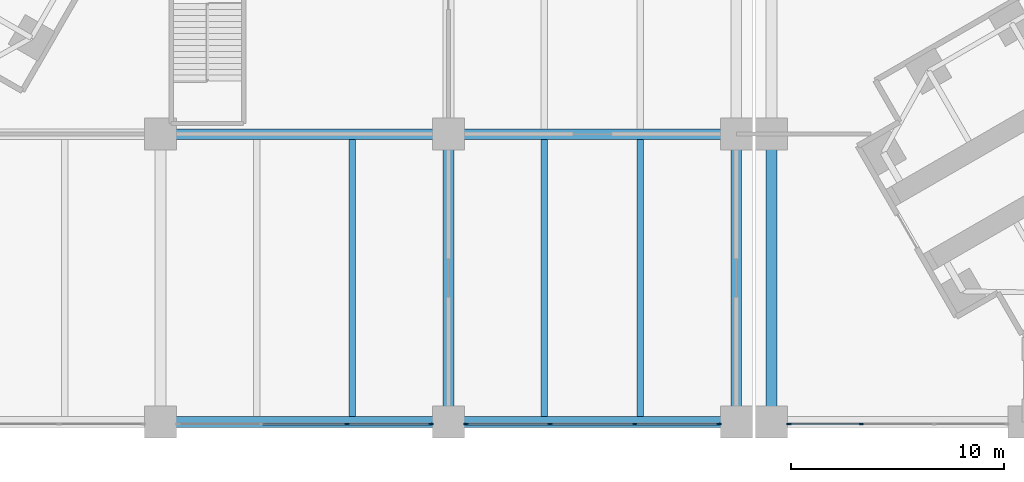
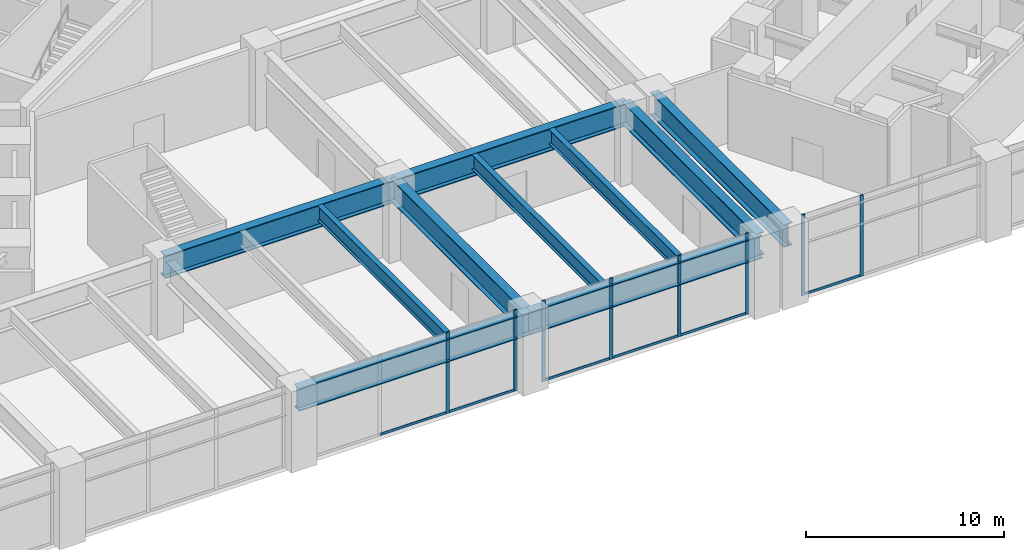
# One storey, part 4 of 32: 14 members, 10 beams, 3 elements without a shape of their own.
"""IFC4 building model written with IfcOpenShell, lengths in metres."""

from ifc_helpers import new_model, si_unit, direction, frame, origin, origin_2d, place, context, subcontext, project, spatial, rectangle, i_section, extrude, material, material_profile, profile_set, type_object, element, aggregate, save


model = new_model("IFC4")

# Units and contexts
model_context = context("Model", 3, precision=1e-05, world=origin(), true_north=direction((0.0, 1.0)))
body_context = subcontext(model_context, "Body", "Model", "MODEL_VIEW")
ifc_project = project(units=[si_unit("LENGTHUNIT", "METRE"), si_unit("AREAUNIT", "SQUARE_METRE"), si_unit("VOLUMEUNIT", "CUBIC_METRE"), si_unit("PLANEANGLEUNIT", "RADIAN"), si_unit("MASSUNIT", "GRAM", prefix="KILO")], contexts=[model_context])

# Site, building, storey
site_placement = place(None, origin())
site = spatial("IfcSite", under=ifc_project, at=site_placement, CompositionType="ELEMENT")
building_placement = place(site_placement, origin())
building = spatial("IfcBuilding", under=site, at=building_placement, Name="Upepo Twin Towers", CompositionType="ELEMENT")
storey_placement = place(building_placement, frame((0.0, 0.0, 5.5)))
storey = spatial("IfcBuildingStorey", under=building, at=storey_placement, Name="L01", CompositionType="ELEMENT", Elevation=5.5)

# Beams
ifc_material_1 = material(Name="Steel S355", Category="steel")
ifc_material_profile_1 = material_profile(ifc_material_1, i_section(OverallWidth=0.5, OverallDepth=1.39990234375, WebThickness=0.02490234375, FlangeThickness=0.050048828125, FilletRadius=0.008056640625, at=origin_2d()), Name="PG 1400x500x25x50")
ifc_profile_set_1 = profile_set([ifc_material_profile_1], Name="Steel S355")
beam_type_1 = type_object("IfcBeamType", Name="Beam PG 1400x500x25x50", PredefinedType="BEAM", material=ifc_profile_set_1)
for number, where, z_axis, x_axis, name in (
    (1, (0.0, -40.5, 3.949951171875), (1.0, 0.0, 0.0), (0.0, 1.0, 0.0), "Podium girder A/3-4"),
    (2, (13.5, -40.5, 3.949951171875), (1.0, 0.0, 0.0), (0.0, 1.0, 0.0), "Podium girder A/4-5"),
    (3, (0.0, -27.0, 3.949951171875), (1.0, 0.0, 0.0), (0.0, 1.0, 0.0), "Podium girder B/3-4"),
    (4, (13.5, -27.0, 3.949951171875), (1.0, 0.0, 0.0), (0.0, 1.0, 0.0), "Podium girder B/4-5"),
    (5, (13.5, -40.5, 3.949951171875), (0.0, 1.0, 0.0), (-1.0, 0.0, 0.0), "Podium girder 4/A-B"),
    (6, (27.0, -40.5, 3.949951171875), (0.0, 1.0, 0.0), (-1.0, 0.0, 0.0), "Podium girder 5/A-B"),
    (7, (28.64990234375, -40.5, 3.949951171875), (0.0, 1.0, 0.0), (-1.0, 0.0, 0.0), "Podium girder 5a/A-B"),
):
    element("IfcBeam", number, at=place(storey_placement, frame(where, z_axis=z_axis, x_axis=x_axis)), inside=storey, type_object=beam_type_1, Name=name, PredefinedType="BEAM", context=body_context, shape_type="SweptSolid", body=[
        extrude(i_section(OverallWidth=0.5, OverallDepth=1.39990234375, WebThickness=0.02490234375, FlangeThickness=0.050048828125, FilletRadius=0.008056640625, at=origin_2d()), origin(), (0.0, 0.0, 1.0), 13.5),
    ])

# Curtain wall, members
ifc_material_2 = material(Name="Aluminium and clear glass", Category="aluminium")
curtain_wall_type = type_object("IfcCurtainWallType", Name="Podium curtain wall PW1", PredefinedType="NOTDEFINED", material=ifc_material_2)
curtain_wall_1_placement = place(storey_placement, origin())
curtain_wall_1 = element("IfcCurtainWall", 8, at=curtain_wall_1_placement, inside=storey, type_object=curtain_wall_type, Name="Podium L01 curtain wall S3", PredefinedType="NOTDEFINED")
ifc_material_3 = material(Name="Aluminium mullion", Category="aluminium")
ifc_material_profile_2 = material_profile(ifc_material_3, rectangle(XDim=0.06494140625, YDim=0.199951171875, at=origin_2d()), Name="MULLION 65x200 PODIUM")
ifc_profile_set_2 = profile_set([ifc_material_profile_2], Name="Aluminium mullion")
member_type_1 = type_object("IfcMemberType", Name="Mullion 65x200 PW1", PredefinedType="MULLION", material=ifc_profile_set_2)
member_1_placement = place(storey_placement, frame((8.73828125, -40.60009765625, 0.0), z_axis=(0.0, 0.0, 1.0), x_axis=(0.0, 1.0, 0.0)))
member_1 = element("IfcMember", 9, at=member_1_placement, type_object=member_type_1, Name="Podium L01 curtain wall S3 mullion 3", PredefinedType="MULLION", context=body_context, shape_type="SweptSolid", body=[
    extrude(rectangle(XDim=0.06494140625, YDim=0.199951171875, at=origin_2d()), origin(), (0.0, 0.0, 1.0), 5.0),
])
member_2_placement = place(storey_placement, frame((12.6826171875, -40.60009765625, 0.0), z_axis=(0.0, 0.0, 1.0), x_axis=(0.0, 1.0, 0.0)))
member_2 = element("IfcMember", 10, at=member_2_placement, type_object=member_type_1, Name="Podium L01 curtain wall S3 mullion 4", PredefinedType="MULLION", context=body_context, shape_type="SweptSolid", body=[
    extrude(rectangle(XDim=0.06494140625, YDim=0.199951171875, at=origin_2d()), origin(), (0.0, 0.0, 1.0), 5.0),
])

curtain_wall_2_placement = place(storey_placement, origin())
curtain_wall_2 = element("IfcCurtainWall", 11, at=curtain_wall_2_placement, inside=storey, type_object=curtain_wall_type, Name="Podium L01 curtain wall S4", PredefinedType="NOTDEFINED")
member_3_placement = place(storey_placement, frame((14.3173828125, -40.60009765625, 0.0), z_axis=(0.0, 0.0, 1.0), x_axis=(0.0, 1.0, 0.0)))
member_3 = element("IfcMember", 12, at=member_3_placement, type_object=member_type_1, Name="Podium L01 curtain wall S4 mullion 1", PredefinedType="MULLION", context=body_context, shape_type="SweptSolid", body=[
    extrude(rectangle(XDim=0.06494140625, YDim=0.199951171875, at=origin_2d()), origin(), (0.0, 0.0, 1.0), 5.0),
])
member_4_placement = place(storey_placement, frame((18.26171875, -40.60009765625, 0.0), z_axis=(0.0, 0.0, 1.0), x_axis=(0.0, 1.0, 0.0)))
member_4 = element("IfcMember", 13, at=member_4_placement, type_object=member_type_1, Name="Podium L01 curtain wall S4 mullion 2", PredefinedType="MULLION", context=body_context, shape_type="SweptSolid", body=[
    extrude(rectangle(XDim=0.06494140625, YDim=0.199951171875, at=origin_2d()), origin(), (0.0, 0.0, 1.0), 5.0),
])
member_5_placement = place(storey_placement, frame((22.23828125, -40.60009765625, 0.0), z_axis=(0.0, 0.0, 1.0), x_axis=(0.0, 1.0, 0.0)))
member_5 = element("IfcMember", 14, at=member_5_placement, type_object=member_type_1, Name="Podium L01 curtain wall S4 mullion 3", PredefinedType="MULLION", context=body_context, shape_type="SweptSolid", body=[
    extrude(rectangle(XDim=0.06494140625, YDim=0.199951171875, at=origin_2d()), origin(), (0.0, 0.0, 1.0), 5.0),
])
member_6_placement = place(storey_placement, frame((26.1826171875, -40.60009765625, 0.0), z_axis=(0.0, 0.0, 1.0), x_axis=(0.0, 1.0, 0.0)))
member_6 = element("IfcMember", 15, at=member_6_placement, type_object=member_type_1, Name="Podium L01 curtain wall S4 mullion 4", PredefinedType="MULLION", context=body_context, shape_type="SweptSolid", body=[
    extrude(rectangle(XDim=0.06494140625, YDim=0.199951171875, at=origin_2d()), origin(), (0.0, 0.0, 1.0), 5.0),
])

curtain_wall_3_placement = place(storey_placement, origin())
curtain_wall_3 = element("IfcCurtainWall", 16, at=curtain_wall_3_placement, inside=storey, type_object=curtain_wall_type, Name="Podium L01 curtain wall S5", PredefinedType="NOTDEFINED")
member_7_placement = place(storey_placement, frame((29.467529296875, -40.60009765625, 0.0), z_axis=(0.0, 0.0, 1.0), x_axis=(0.0, 1.0, 0.0)))
member_7 = element("IfcMember", 17, at=member_7_placement, type_object=member_type_1, Name="Podium L01 curtain wall S5 mullion 1", PredefinedType="MULLION", context=body_context, shape_type="SweptSolid", body=[
    extrude(rectangle(XDim=0.06494140625, YDim=0.199951171875, at=origin_2d()), origin(), (0.0, 0.0, 1.0), 5.0),
])
member_8_placement = place(storey_placement, frame((32.861572265625, -40.60009765625, 0.0), z_axis=(0.0, 0.0, 1.0), x_axis=(0.0, 1.0, 0.0)))
member_8 = element("IfcMember", 18, at=member_8_placement, type_object=member_type_1, Name="Podium L01 curtain wall S5 mullion 2", PredefinedType="MULLION", context=body_context, shape_type="SweptSolid", body=[
    extrude(rectangle(XDim=0.06494140625, YDim=0.199951171875, at=origin_2d()), origin(), (0.0, 0.0, 1.0), 5.0),
])

# Beams
ifc_material_4 = material(Name="Steel S355", Category="steel")
ifc_material_profile_3 = material_profile(ifc_material_4, i_section(OverallWidth=0.305419921875, OverallDepth=0.91845703125, WebThickness=0.017333984375, FlangeThickness=0.02783203125, FilletRadius=0.01904296875, at=origin_2d()), Name="UB 914x305x253")
ifc_profile_set_3 = profile_set([ifc_material_profile_3], Name="Steel S355")
beam_type_2 = type_object("IfcBeamType", Name="Secondary beam UB 914x305x253", PredefinedType="JOIST", material=ifc_profile_set_3)
for number, where, z_axis, x_axis, name in (
    (19, (9.0, -40.25, 4.19091796875), (0.0, 1.0, 0.0), (-1.0, 0.0, 0.0), "Podium secondary beam A3.2"),
    (20, (18.0, -40.25, 4.19091796875), (0.0, 1.0, 0.0), (-1.0, 0.0, 0.0), "Podium secondary beam A4.1"),
    (21, (22.5, -40.25, 4.19091796875), (0.0, 1.0, 0.0), (-1.0, 0.0, 0.0), "Podium secondary beam A4.2"),
):
    element("IfcBeam", number, at=place(storey_placement, frame(where, z_axis=z_axis, x_axis=x_axis)), inside=storey, type_object=beam_type_2, Name=name, PredefinedType="JOIST", context=body_context, shape_type="SweptSolid", body=[
        extrude(i_section(OverallWidth=0.305419921875, OverallDepth=0.91845703125, WebThickness=0.017333984375, FlangeThickness=0.02783203125, FilletRadius=0.01904296875, at=origin_2d()), origin(), (0.0, 0.0, 1.0), 13.0),
    ])

# Member
ifc_material_5 = material(Name="Aluminium transom", Category="aluminium")
ifc_material_profile_4 = material_profile(ifc_material_5, rectangle(XDim=0.06494140625, YDim=0.14990234375, at=origin_2d()), Name="TRANSOM 65x150 PODIUM")
ifc_profile_set_4 = profile_set([ifc_material_profile_4], Name="Aluminium transom")
member_type_2 = type_object("IfcMemberType", Name="Transom 65x150 PW1", PredefinedType="USERDEFINED", material=ifc_profile_set_4)
member_9_placement = place(storey_placement, frame((4.794189453125, -40.60009765625, 0.074951171875), z_axis=(1.0, 0.0, 0.0), x_axis=(0.0, 1.0, 0.0)))
member_9 = element("IfcMember", 22, at=member_9_placement, type_object=member_type_2, Name="Podium L01 curtain wall S3 transom 2", ObjectType="TRANSOM", PredefinedType="USERDEFINED", context=body_context, shape_type="SweptSolid", body=[
    extrude(rectangle(XDim=0.06494140625, YDim=0.14990234375, at=origin_2d()), origin(), (0.0, 0.0, 1.0), 3.91162109375),
])

member_10_placement = place(storey_placement, frame((8.770751953125, -40.60009765625, 0.074951171875), z_axis=(1.0, 0.0, 0.0), x_axis=(0.0, 1.0, 0.0)))
member_10 = element("IfcMember", 23, at=member_10_placement, type_object=member_type_2, Name="Podium L01 curtain wall S3 transom 3", ObjectType="TRANSOM", PredefinedType="USERDEFINED", context=body_context, shape_type="SweptSolid", body=[
    extrude(rectangle(XDim=0.06494140625, YDim=0.14990234375, at=origin_2d()), origin(), (0.0, 0.0, 1.0), 3.879150390625),
])

aggregate(curtain_wall_1, [member_1, member_2, member_9, member_10])

member_11_placement = place(storey_placement, frame((14.35009765625, -40.60009765625, 0.074951171875), z_axis=(1.0, 0.0, 0.0), x_axis=(0.0, 1.0, 0.0)))
member_11 = element("IfcMember", 24, at=member_11_placement, type_object=member_type_2, Name="Podium L01 curtain wall S4 transom 1", ObjectType="TRANSOM", PredefinedType="USERDEFINED", context=body_context, shape_type="SweptSolid", body=[
    extrude(rectangle(XDim=0.06494140625, YDim=0.14990234375, at=origin_2d()), origin(), (0.0, 0.0, 1.0), 3.879150390625),
])

member_12_placement = place(storey_placement, frame((18.294189453125, -40.60009765625, 0.074951171875), z_axis=(1.0, 0.0, 0.0), x_axis=(0.0, 1.0, 0.0)))
member_12 = element("IfcMember", 25, at=member_12_placement, type_object=member_type_2, Name="Podium L01 curtain wall S4 transom 2", ObjectType="TRANSOM", PredefinedType="USERDEFINED", context=body_context, shape_type="SweptSolid", body=[
    extrude(rectangle(XDim=0.06494140625, YDim=0.14990234375, at=origin_2d()), origin(), (0.0, 0.0, 1.0), 3.91162109375),
])

member_13_placement = place(storey_placement, frame((22.270751953125, -40.60009765625, 0.074951171875), z_axis=(1.0, 0.0, 0.0), x_axis=(0.0, 1.0, 0.0)))
member_13 = element("IfcMember", 26, at=member_13_placement, type_object=member_type_2, Name="Podium L01 curtain wall S4 transom 3", ObjectType="TRANSOM", PredefinedType="USERDEFINED", context=body_context, shape_type="SweptSolid", body=[
    extrude(rectangle(XDim=0.06494140625, YDim=0.14990234375, at=origin_2d()), origin(), (0.0, 0.0, 1.0), 3.879150390625),
])

aggregate(curtain_wall_2, [member_3, member_4, member_5, member_6, member_11, member_12, member_13])

member_14_placement = place(storey_placement, frame((29.5, -40.60009765625, 0.074951171875), z_axis=(1.0, 0.0, 0.0), x_axis=(0.0, 1.0, 0.0)))
member_14 = element("IfcMember", 27, at=member_14_placement, type_object=member_type_2, Name="Podium L01 curtain wall S5 transom 1", ObjectType="TRANSOM", PredefinedType="USERDEFINED", context=body_context, shape_type="SweptSolid", body=[
    extrude(rectangle(XDim=0.06494140625, YDim=0.14990234375, at=origin_2d()), origin(), (0.0, 0.0, 1.0), 3.3291015625),
])

aggregate(curtain_wall_3, [member_7, member_8, member_14])

save(model, "model.ifc")
